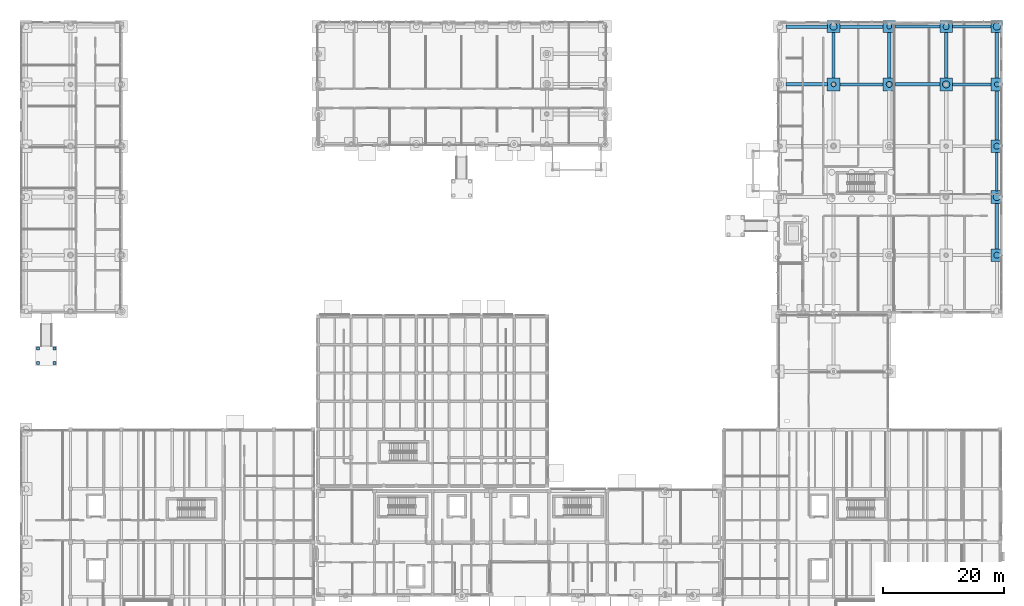
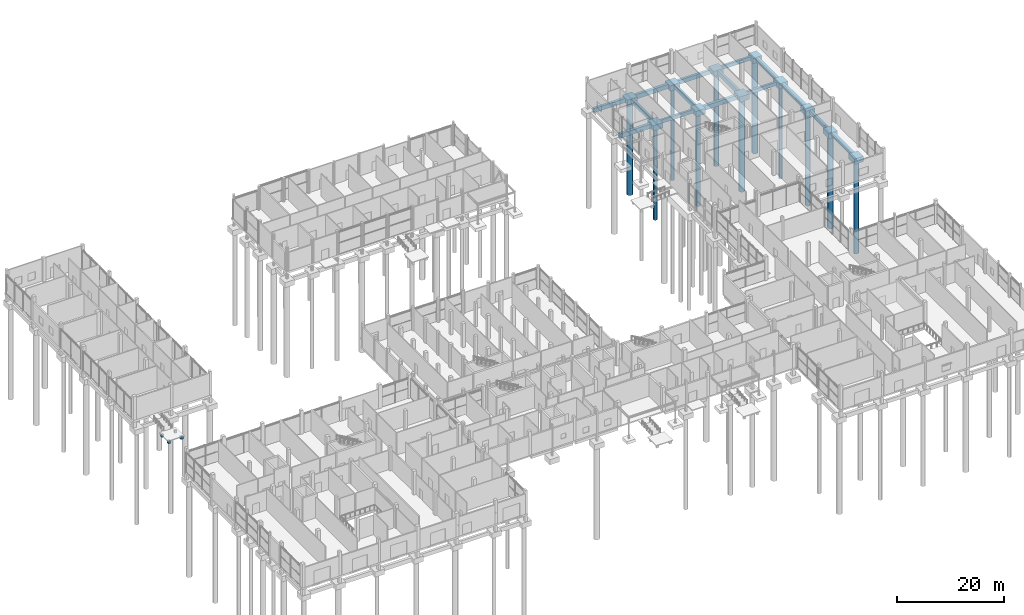
# One storey, part 4 of 88: 30 footings, 11 piles.
"""IFC4 building model written with IfcOpenShell, lengths in metres."""

from ifc_helpers import new_model, si_unit, direction, frame, origin, origin_2d, place, context, subcontext, project, spatial, rectangle, circle, extrude, material, material_profile, profile_set, type_object, element, save


model = new_model("IFC4")

# Units and contexts
model_context = context("Model", 3, precision=1e-05, world=origin(), true_north=direction((0.0, 1.0)))
body_context = subcontext(model_context, "Body", "Model", "MODEL_VIEW")
ifc_project = project(units=[si_unit("LENGTHUNIT", "METRE"), si_unit("AREAUNIT", "SQUARE_METRE"), si_unit("VOLUMEUNIT", "CUBIC_METRE"), si_unit("PLANEANGLEUNIT", "RADIAN"), si_unit("MASSUNIT", "GRAM", prefix="KILO")], contexts=[model_context])

# Site, building, storey
site_placement = place(None, origin())
site = spatial("IfcSite", under=ifc_project, at=site_placement, CompositionType="ELEMENT")
building_placement = place(site_placement, origin())
building = spatial("IfcBuilding", under=site, at=building_placement, Name="Birchvale Park Specialist Clinic", CompositionType="ELEMENT")
storey_placement = place(building_placement, origin())
storey = spatial("IfcBuildingStorey", under=building, at=storey_placement, Name="L00", CompositionType="ELEMENT", Elevation=0.0)

# Footings
ifc_material = material(Name="Concrete C40/50", Category="concrete")
footing_type_1 = type_object("IfcFootingType", Name="FTB-1", PredefinedType="FOOTING_BEAM", material=ifc_material)
footing_1_placement = place(storey_placement, frame((146.39990234375, 106.2099609375, -2.64990234375), z_axis=(0.0, 0.0, 1.0), x_axis=(1.0, 0.0, 0.0)))
element("IfcFooting", 1, at=footing_1_placement, inside=storey, type_object=footing_type_1, Name="L00 foundation tie beam 237", PredefinedType="FOOTING_BEAM", context=body_context, shape_type="SweptSolid", body=[
    extrude(rectangle(XDim=0.5, YDim=7.56005859375, at=origin_2d()), origin(), (0.0, 0.0, 1.0), 0.89990234375),
])
footing_2_placement = place(storey_placement, frame((151.10009765625, 110.945068359375, -2.64990234375), z_axis=(0.0, 0.0, 1.0), x_axis=(1.0, 0.0, 0.0)))
element("IfcFooting", 2, at=footing_2_placement, inside=storey, type_object=footing_type_1, Name="L00 foundation tie beam 257", PredefinedType="FOOTING_BEAM", context=body_context, shape_type="SweptSolid", body=[
    extrude(rectangle(XDim=7.340087890625, YDim=0.5, at=origin_2d()), origin(), (0.0, 0.0, 1.0), 0.89990234375),
])
footing_type_2 = type_object("IfcFootingType", Name="FTB-2", PredefinedType="FOOTING_BEAM", material=ifc_material)
footing_3_placement = place(storey_placement, frame((164.1650390625, 87.0, -2.5498046875), z_axis=(0.0, 0.0, 1.0), x_axis=(1.0, 0.0, 0.0)))
element("IfcFooting", 3, at=footing_3_placement, inside=storey, type_object=footing_type_2, Name="L00 foundation tie beam 198", PredefinedType="FOOTING_BEAM", context=body_context, shape_type="SweptSolid", body=[
    extrude(rectangle(XDim=0.449951171875, YDim=6.340087890625, at=origin_2d()), origin(), (0.0, 0.0, 1.0), 0.800048828125),
])
footing_4_placement = place(storey_placement, frame((141.800048828125, 101.39990234375, -2.5498046875), z_axis=(0.0, 0.0, 1.0), x_axis=(1.0, 0.0, 0.0)))
element("IfcFooting", 4, at=footing_4_placement, inside=storey, type_object=footing_type_2, Name="L00 foundation tie beam 234", PredefinedType="FOOTING_BEAM", context=body_context, shape_type="SweptSolid", body=[
    extrude(rectangle(XDim=7.139892578125, YDim=0.449951171875, at=origin_2d()), origin(), (0.0, 0.0, 1.0), 0.800048828125),
])
for number, where, z_axis, x_axis, name in (
    (5, (160.02001953125, 101.39990234375, -2.5498046875), (0.0, 0.0, 1.0), (1.0, 0.0, 0.0), "L00 foundation tie beam 238"),
    (6, (160.02001953125, 110.945068359375, -2.5498046875), (0.0, 0.0, 1.0), (1.0, 0.0, 0.0), "L00 foundation tie beam 258"),
):
    element("IfcFooting", number, at=place(storey_placement, frame(where, z_axis=z_axis, x_axis=x_axis)), inside=storey, type_object=footing_type_2, Name=name, PredefinedType="FOOTING_BEAM", context=body_context, shape_type="SweptSolid", body=[
        extrude(rectangle(XDim=6.3798828125, YDim=0.449951171875, at=origin_2d()), origin(), (0.0, 0.0, 1.0), 0.800048828125),
    ])
footing_type_3 = type_object("IfcFootingType", Name="FTB-3", PredefinedType="FOOTING_BEAM", material=ifc_material)
footing_5_placement = place(storey_placement, frame((164.1650390625, 78.0, -2.7001953125), z_axis=(0.0, 0.0, 1.0), x_axis=(1.0, 0.0, 0.0)))
element("IfcFooting", 7, at=footing_5_placement, inside=storey, type_object=footing_type_3, Name="L00 foundation tie beam 187", PredefinedType="FOOTING_BEAM", context=body_context, shape_type="SweptSolid", body=[
    extrude(rectangle(XDim=0.550048828125, YDim=7.5400390625, at=origin_2d()), origin(), (0.0, 0.0, 1.0), 0.949951171875),
])
for number, where, z_axis, x_axis, name in (
    (8, (137.199951171875, 106.2099609375, -2.7001953125), (0.0, 0.0, 1.0), (1.0, 0.0, 0.0), "L00 foundation tie beam 235"),
    (9, (155.800048828125, 106.2099609375, -2.7001953125), (0.0, 0.0, 1.0), (1.0, 0.0, 0.0), "L00 foundation tie beam 239"),
):
    element("IfcFooting", number, at=place(storey_placement, frame(where, z_axis=z_axis, x_axis=x_axis)), inside=storey, type_object=footing_type_3, Name=name, PredefinedType="FOOTING_BEAM", context=body_context, shape_type="SweptSolid", body=[
        extrude(rectangle(XDim=0.550048828125, YDim=7.56005859375, at=origin_2d()), origin(), (0.0, 0.0, 1.0), 0.949951171875),
    ])
footing_6_placement = place(storey_placement, frame((132.77490234375, 110.945068359375, -2.7001953125), z_axis=(0.0, 0.0, 1.0), x_axis=(1.0, 0.0, 0.0)))
element("IfcFooting", 10, at=footing_6_placement, inside=storey, type_object=footing_type_3, Name="L00 foundation tie beam 255", PredefinedType="FOOTING_BEAM", context=body_context, shape_type="SweptSolid", body=[
    extrude(rectangle(XDim=6.7900390625, YDim=0.550048828125, at=origin_2d()), origin(), (0.0, 0.0, 1.0), 0.949951171875),
])
footing_type_4 = type_object("IfcFootingType", Name="FTB-4", PredefinedType="FOOTING_BEAM", material=ifc_material)
footing_7_placement = place(storey_placement, frame((164.1650390625, 96.300048828125, -2.75), z_axis=(0.0, 0.0, 1.0), x_axis=(1.0, 0.0, 0.0)))
element("IfcFooting", 11, at=footing_7_placement, inside=storey, type_object=footing_type_4, Name="L00 foundation tie beam 212", PredefinedType="FOOTING_BEAM", context=body_context, shape_type="SweptSolid", body=[
    extrude(rectangle(XDim=0.60009765625, YDim=8.139892578125, at=origin_2d()), origin(), (0.0, 0.0, 1.0), 1.0),
])
footing_8_placement = place(storey_placement, frame((132.77490234375, 101.39990234375, -2.75), z_axis=(0.0, 0.0, 1.0), x_axis=(1.0, 0.0, 0.0)))
element("IfcFooting", 12, at=footing_8_placement, inside=storey, type_object=footing_type_4, Name="L00 foundation tie beam 232", PredefinedType="FOOTING_BEAM", context=body_context, shape_type="SweptSolid", body=[
    extrude(rectangle(XDim=6.7900390625, YDim=0.60009765625, at=origin_2d()), origin(), (0.0, 0.0, 1.0), 1.0),
])
footing_9_placement = place(storey_placement, frame((151.10009765625, 101.39990234375, -2.75), z_axis=(0.0, 0.0, 1.0), x_axis=(1.0, 0.0, 0.0)))
element("IfcFooting", 13, at=footing_9_placement, inside=storey, type_object=footing_type_4, Name="L00 foundation tie beam 236", PredefinedType="FOOTING_BEAM", context=body_context, shape_type="SweptSolid", body=[
    extrude(rectangle(XDim=7.340087890625, YDim=0.60009765625, at=origin_2d()), origin(), (0.0, 0.0, 1.0), 1.0),
])
footing_10_placement = place(storey_placement, frame((164.1650390625, 106.2099609375, -2.75), z_axis=(0.0, 0.0, 1.0), x_axis=(1.0, 0.0, 0.0)))
element("IfcFooting", 14, at=footing_10_placement, inside=storey, type_object=footing_type_4, Name="L00 foundation tie beam 240", PredefinedType="FOOTING_BEAM", context=body_context, shape_type="SweptSolid", body=[
    extrude(rectangle(XDim=0.60009765625, YDim=7.56005859375, at=origin_2d()), origin(), (0.0, 0.0, 1.0), 1.0),
])
footing_11_placement = place(storey_placement, frame((141.800048828125, 110.945068359375, -2.75), z_axis=(0.0, 0.0, 1.0), x_axis=(1.0, 0.0, 0.0)))
element("IfcFooting", 15, at=footing_11_placement, inside=storey, type_object=footing_type_4, Name="L00 foundation tie beam 256", PredefinedType="FOOTING_BEAM", context=body_context, shape_type="SweptSolid", body=[
    extrude(rectangle(XDim=7.139892578125, YDim=0.60009765625, at=origin_2d()), origin(), (0.0, 0.0, 1.0), 1.0),
])
footing_type_5 = type_object("IfcFootingType", Name="FTG-PC-17", PredefinedType="PILE_CAP", material=ifc_material)
footing_12_placement = place(storey_placement, frame((164.1650390625, 110.945068359375, -2.9501953125), z_axis=(0.0, 0.0, 1.0), x_axis=(1.0, 0.0, 0.0)))
element("IfcFooting", 16, at=footing_12_placement, inside=storey, type_object=footing_type_5, Name="L00 pile cap 235", PredefinedType="PILE_CAP", context=body_context, shape_type="SweptSolid", body=[
    extrude(rectangle(XDim=1.949951171875, YDim=1.949951171875, at=origin_2d()), origin(), (0.0, 0.0, 1.0), 1.199951171875),
])
footing_type_6 = type_object("IfcFootingType", Name="FTG-PC-18", PredefinedType="PILE_CAP", material=ifc_material)
for number, where, z_axis, x_axis, name in (
    (17, (137.199951171875, 110.945068359375, -2.9501953125), (0.0, 0.0, 1.0), (1.0, 0.0, 0.0), "L00 pile cap 232"),
    (18, (146.39990234375, 110.945068359375, -2.9501953125), (0.0, 0.0, 1.0), (1.0, 0.0, 0.0), "L00 pile cap 233"),
    (19, (155.800048828125, 110.945068359375, -2.9501953125), (0.0, 0.0, 1.0), (1.0, 0.0, 0.0), "L00 pile cap 234"),
):
    element("IfcFooting", number, at=place(storey_placement, frame(where, z_axis=z_axis, x_axis=x_axis)), inside=storey, type_object=footing_type_6, Name=name, PredefinedType="PILE_CAP", context=body_context, shape_type="SweptSolid", body=[
        extrude(rectangle(XDim=2.10009765625, YDim=1.949951171875, at=origin_2d()), origin(), (0.0, 0.0, 1.0), 1.199951171875),
    ])
footing_type_7 = type_object("IfcFootingType", Name="FTG-PC-19", PredefinedType="PILE_CAP", material=ifc_material)
for number, where, z_axis, x_axis, name in (
    (20, (164.1650390625, 73.199951171875, -2.9501953125), (0.0, 0.0, 1.0), (1.0, 0.0, 0.0), "L00 pile cap 177"),
    (21, (164.1650390625, 82.800048828125, -2.9501953125), (0.0, 0.0, 1.0), (1.0, 0.0, 0.0), "L00 pile cap 184"),
    (22, (164.1650390625, 91.199951171875, -2.9501953125), (0.0, 0.0, 1.0), (1.0, 0.0, 0.0), "L00 pile cap 192"),
    (23, (164.1650390625, 101.39990234375, -2.9501953125), (0.0, 0.0, 1.0), (1.0, 0.0, 0.0), "L00 pile cap 212"),
):
    element("IfcFooting", number, at=place(storey_placement, frame(where, z_axis=z_axis, x_axis=x_axis)), inside=storey, type_object=footing_type_7, Name=name, PredefinedType="PILE_CAP", context=body_context, shape_type="SweptSolid", body=[
        extrude(rectangle(XDim=1.949951171875, YDim=2.10009765625, at=origin_2d()), origin(), (0.0, 0.0, 1.0), 1.199951171875),
    ])
footing_type_8 = type_object("IfcFootingType", Name="FTG-PC-20", PredefinedType="PILE_CAP", material=ifc_material)
for number, where, z_axis, x_axis, name in (
    (24, (137.199951171875, 101.39990234375, -2.9501953125), (0.0, 0.0, 1.0), (1.0, 0.0, 0.0), "L00 pile cap 209"),
    (25, (146.39990234375, 101.39990234375, -2.9501953125), (0.0, 0.0, 1.0), (1.0, 0.0, 0.0), "L00 pile cap 210"),
    (26, (155.800048828125, 101.39990234375, -2.9501953125), (0.0, 0.0, 1.0), (1.0, 0.0, 0.0), "L00 pile cap 211"),
):
    element("IfcFooting", number, at=place(storey_placement, frame(where, z_axis=z_axis, x_axis=x_axis)), inside=storey, type_object=footing_type_8, Name=name, PredefinedType="PILE_CAP", context=body_context, shape_type="SweptSolid", body=[
        extrude(rectangle(XDim=2.10009765625, YDim=2.10009765625, at=origin_2d()), origin(), (0.0, 0.0, 1.0), 1.199951171875),
    ])
footing_type_9 = type_object("IfcFootingType", Name="PF-9", PredefinedType="PAD_FOOTING", material=ifc_material)
for number, where, z_axis, x_axis, name in (
    (27, (5.820068359375, 55.419921875, -1.10009765625), (0.0, 0.0, 1.0), (1.0, 0.0, 0.0), "Accessible ramp foundation pad AR-2.1"),
    (28, (8.580078125, 55.419921875, -1.10009765625), (0.0, 0.0, 1.0), (1.0, 0.0, 0.0), "Accessible ramp foundation pad AR-2.2"),
    (29, (5.820068359375, 57.780029296875, -1.10009765625), (0.0, 0.0, 1.0), (1.0, 0.0, 0.0), "Accessible ramp foundation pad AR-2.3"),
    (30, (8.580078125, 57.780029296875, -1.10009765625), (0.0, 0.0, 1.0), (1.0, 0.0, 0.0), "Accessible ramp foundation pad AR-2.4"),
):
    element("IfcFooting", number, at=place(storey_placement, frame(where, z_axis=z_axis, x_axis=x_axis)), inside=storey, type_object=footing_type_9, Name=name, PredefinedType="PAD_FOOTING", context=body_context, shape_type="SweptSolid", body=[
        extrude(rectangle(XDim=0.5, YDim=0.5, at=origin_2d()), origin(), (0.0, 0.0, 1.0), 0.60009765625),
    ])

# Piles
ifc_material_profile_1 = material_profile(ifc_material, circle(Radius=0.39990234375, at=origin_2d()), Name="PILE-800")
ifc_profile_set_1 = profile_set([ifc_material_profile_1], Name="Concrete C40/50")
pile_type_1 = type_object("IfcPileType", Name="PILE-P1", PredefinedType="BORED", material=ifc_profile_set_1)
for number, where, z_axis, x_axis, name in (
    (31, (137.199951171875, 101.39990234375, -2.85009765625), (0.0, 0.0, -1.0), (1.0, 0.0, 0.0), "L00 bored pile 276 (P1)"),
    (32, (164.1650390625, 101.39990234375, -2.85009765625), (0.0, 0.0, -1.0), (1.0, 0.0, 0.0), "L00 bored pile 279 (P1)"),
    (33, (146.39990234375, 110.945068359375, -2.85009765625), (0.0, 0.0, -1.0), (1.0, 0.0, 0.0), "L00 bored pile 300 (P1)"),
):
    element("IfcPile", number, at=place(storey_placement, frame(where, z_axis=z_axis, x_axis=x_axis)), inside=storey, type_object=pile_type_1, Name=name, PredefinedType="BORED", context=body_context, shape_type="SweptSolid", body=[
        extrude(circle(Radius=0.39990234375, at=origin_2d()), origin(), (0.0, 0.0, 1.0), 21.14990234375),
    ])
ifc_material_profile_2 = material_profile(ifc_material, circle(Radius=0.5, at=origin_2d()), Name="PILE-1000")
ifc_profile_set_2 = profile_set([ifc_material_profile_2], Name="Concrete C40/50")
pile_type_2 = type_object("IfcPileType", Name="PILE-P2", PredefinedType="BORED", material=ifc_profile_set_2)
for number, where, z_axis, x_axis, name in (
    (34, (164.1650390625, 73.199951171875, -2.85009765625), (0.0, 0.0, -1.0), (1.0, 0.0, 0.0), "L00 bored pile 237 (P2)"),
    (35, (164.1650390625, 91.199951171875, -2.85009765625), (0.0, 0.0, -1.0), (1.0, 0.0, 0.0), "L00 bored pile 259 (P2)"),
    (36, (146.39990234375, 101.39990234375, -2.85009765625), (0.0, 0.0, -1.0), (1.0, 0.0, 0.0), "L00 bored pile 277 (P2)"),
    (37, (155.800048828125, 110.945068359375, -2.85009765625), (0.0, 0.0, -1.0), (1.0, 0.0, 0.0), "L00 bored pile 301 (P2)"),
):
    element("IfcPile", number, at=place(storey_placement, frame(where, z_axis=z_axis, x_axis=x_axis)), inside=storey, type_object=pile_type_2, Name=name, PredefinedType="BORED", context=body_context, shape_type="SweptSolid", body=[
        extrude(circle(Radius=0.5, at=origin_2d()), origin(), (0.0, 0.0, 1.0), 21.14990234375),
    ])
ifc_material_profile_3 = material_profile(ifc_material, circle(Radius=0.60009765625, at=origin_2d()), Name="PILE-1200")
ifc_profile_set_3 = profile_set([ifc_material_profile_3], Name="Concrete C40/50")
pile_type_3 = type_object("IfcPileType", Name="PILE-P3", PredefinedType="BORED", material=ifc_profile_set_3)
for number, where, z_axis, x_axis, name in (
    (38, (164.1650390625, 82.800048828125, -2.85009765625), (0.0, 0.0, -1.0), (1.0, 0.0, 0.0), "L00 bored pile 251 (P3)"),
    (39, (155.800048828125, 101.39990234375, -2.85009765625), (0.0, 0.0, -1.0), (1.0, 0.0, 0.0), "L00 bored pile 278 (P3)"),
    (40, (137.199951171875, 110.945068359375, -2.85009765625), (0.0, 0.0, -1.0), (1.0, 0.0, 0.0), "L00 bored pile 299 (P3)"),
    (41, (164.1650390625, 110.945068359375, -2.85009765625), (0.0, 0.0, -1.0), (1.0, 0.0, 0.0), "L00 bored pile 302 (P3)"),
):
    element("IfcPile", number, at=place(storey_placement, frame(where, z_axis=z_axis, x_axis=x_axis)), inside=storey, type_object=pile_type_3, Name=name, PredefinedType="BORED", context=body_context, shape_type="SweptSolid", body=[
        extrude(circle(Radius=0.60009765625, at=origin_2d()), origin(), (0.0, 0.0, 1.0), 21.14990234375),
    ])

save(model, "model.ifc")
